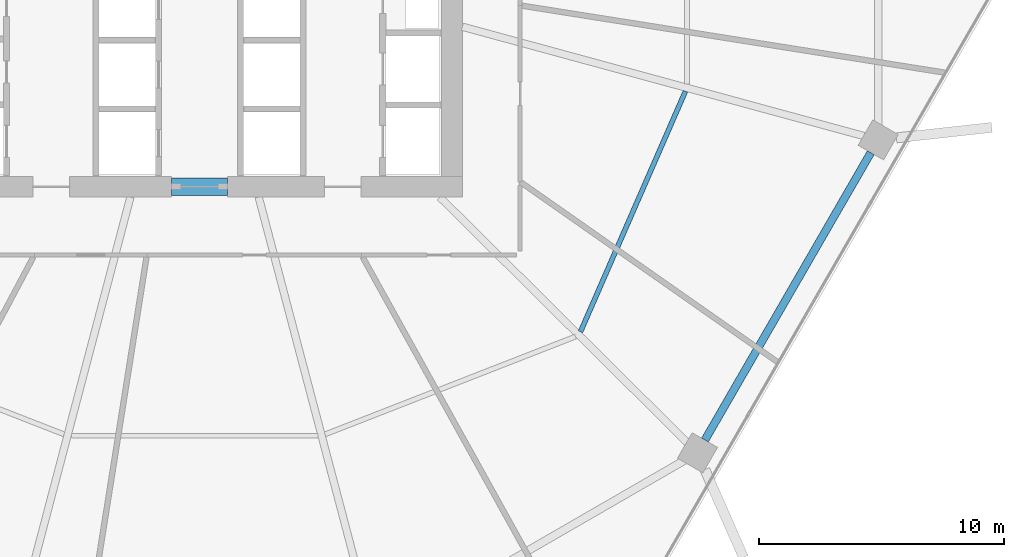
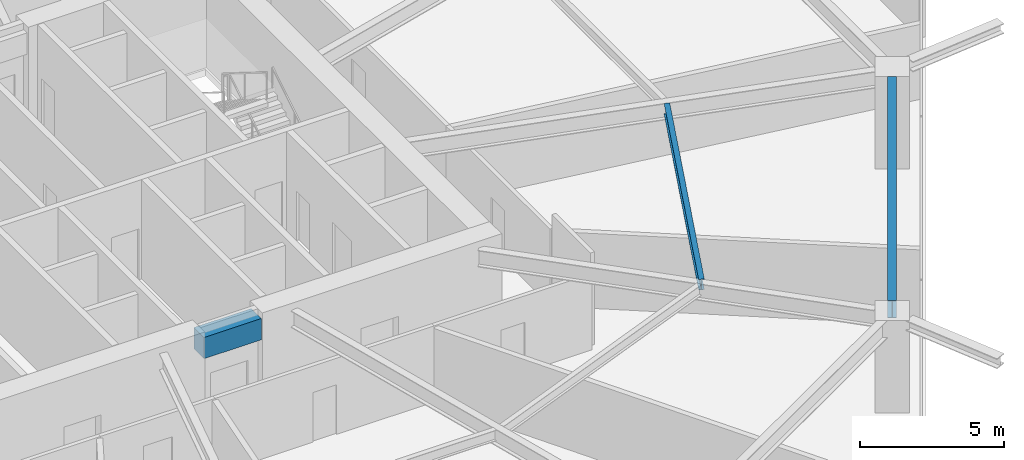
# One storey, part 10 of 25: 3 beams.
"""IFC4 building model written with IfcOpenShell, lengths in metres."""

from ifc_helpers import new_model, si_unit, direction, frame, origin, origin_2d, place, context, subcontext, project, spatial, rectangle, i_section, extrude, material, material_profile, profile_set, type_object, element, save


model = new_model("IFC4")

# Units and contexts
model_context = context("Model", 3, precision=1e-05, world=origin(), true_north=direction((0.0, 1.0)))
body_context = subcontext(model_context, "Body", "Model", "MODEL_VIEW")
ifc_project = project(units=[si_unit("LENGTHUNIT", "METRE"), si_unit("AREAUNIT", "SQUARE_METRE"), si_unit("VOLUMEUNIT", "CUBIC_METRE"), si_unit("PLANEANGLEUNIT", "RADIAN"), si_unit("MASSUNIT", "GRAM", prefix="KILO")], contexts=[model_context])

# Site, building, storey
site_placement = place(None, origin())
site = spatial("IfcSite", under=ifc_project, at=site_placement, CompositionType="ELEMENT")
building_placement = place(site_placement, origin())
building = spatial("IfcBuilding", under=site, at=building_placement, Name="Zuhravey Tower", CompositionType="ELEMENT")
storey_placement = place(building_placement, frame((0.0, 0.0, 37.199951171875)))
storey = spatial("IfcBuildingStorey", under=building, at=storey_placement, Name="L09", CompositionType="ELEMENT", Elevation=37.199951171875)

# Beams
ifc_material_1 = material(Name="Concrete C60/75", Category="concrete")
ifc_material_profile_1 = material_profile(ifc_material_1, rectangle(XDim=0.699951171875, YDim=0.89990234375, at=origin_2d()), Name="RC-700x900")
ifc_profile_set_1 = profile_set([ifc_material_profile_1], Name="Concrete C60/75")
beam_type_1 = type_object("IfcBeamType", Name="Core Coupling Beam RC700x900", PredefinedType="LINTEL", material=ifc_profile_set_1)
beam_1_placement = place(storey_placement, frame((35.052001953125, 22.5, 3.469970703125), z_axis=(1.0, 0.0, 0.0), x_axis=(0.0, 1.0, 0.0)))
element("IfcBeam", 1, at=beam_1_placement, inside=storey, type_object=beam_type_1, Name="L09 CB1 BM-L09-CB-S", PredefinedType="LINTEL", context=body_context, shape_type="SweptSolid", body=[
    extrude(rectangle(XDim=0.699951171875, YDim=0.89990234375, at=origin_2d()), origin(), (0.0, 0.0, 1.0), 2.2958984375),
])
ifc_material_2 = material(Name="Steel SM355", Category="steel")
ifc_material_profile_2 = material_profile(ifc_material_2, i_section(OverallWidth=0.320068359375, OverallDepth=0.75, WebThickness=0.013916015625, FlangeThickness=0.02490234375, at=origin_2d()), Name="H-750x320x14x25")
ifc_profile_set_2 = profile_set([ifc_material_profile_2], Name="Steel SM355")
beam_type_2 = type_object("IfcBeamType", Name="Perimeter Ring Beam H750x320", PredefinedType="BEAM", material=ifc_profile_set_2)
beam_2_placement = place(storey_placement, frame((56.820556640625, 12.165283203125, 3.545166015625), z_axis=(0.499999877243, 0.866025474658, 0.0), x_axis=(-0.866025474658, 0.499999877243, 0.0)))
element("IfcBeam", 2, at=beam_2_placement, inside=storey, type_object=beam_type_2, Name="L09 PB1 BM-L09-PB-11", PredefinedType="BEAM", context=body_context, shape_type="SweptSolid", body=[
    extrude(i_section(OverallWidth=0.320068359375, OverallDepth=0.75, WebThickness=0.013916015625, FlangeThickness=0.02490234375, at=origin_2d()), origin(), (0.0, 0.0, 1.0), 13.5341796875),
])
ifc_material_profile_3 = material_profile(ifc_material_2, i_section(OverallWidth=0.199951171875, OverallDepth=0.449951171875, WebThickness=0.009033203125, FlangeThickness=0.013916015625, at=origin_2d()), Name="H-450x200x9x14")
ifc_profile_set_3 = profile_set([ifc_material_profile_3], Name="Steel SM355")
beam_type_3 = type_object("IfcBeamType", Name="Secondary Floor Joist H450x200", PredefinedType="JOIST", material=ifc_profile_set_3)
beam_3_placement = place(storey_placement, frame((51.7451171875, 16.58154296875, 3.695068359375), z_axis=(0.399923551578, 0.916548500022, 0.0), x_axis=(-0.916548500022, 0.399923551578, 0.0)))
element("IfcBeam", 3, at=beam_3_placement, inside=storey, type_object=beam_type_3, Name="L09 SJ1 BM-L09-SJ-11-1", PredefinedType="JOIST", context=body_context, shape_type="SweptSolid", body=[
    extrude(i_section(OverallWidth=0.199951171875, OverallDepth=0.449951171875, WebThickness=0.009033203125, FlangeThickness=0.013916015625, at=origin_2d()), origin(), (0.0, 0.0, 1.0), 10.70263671875),
])

save(model, "model.ifc")
